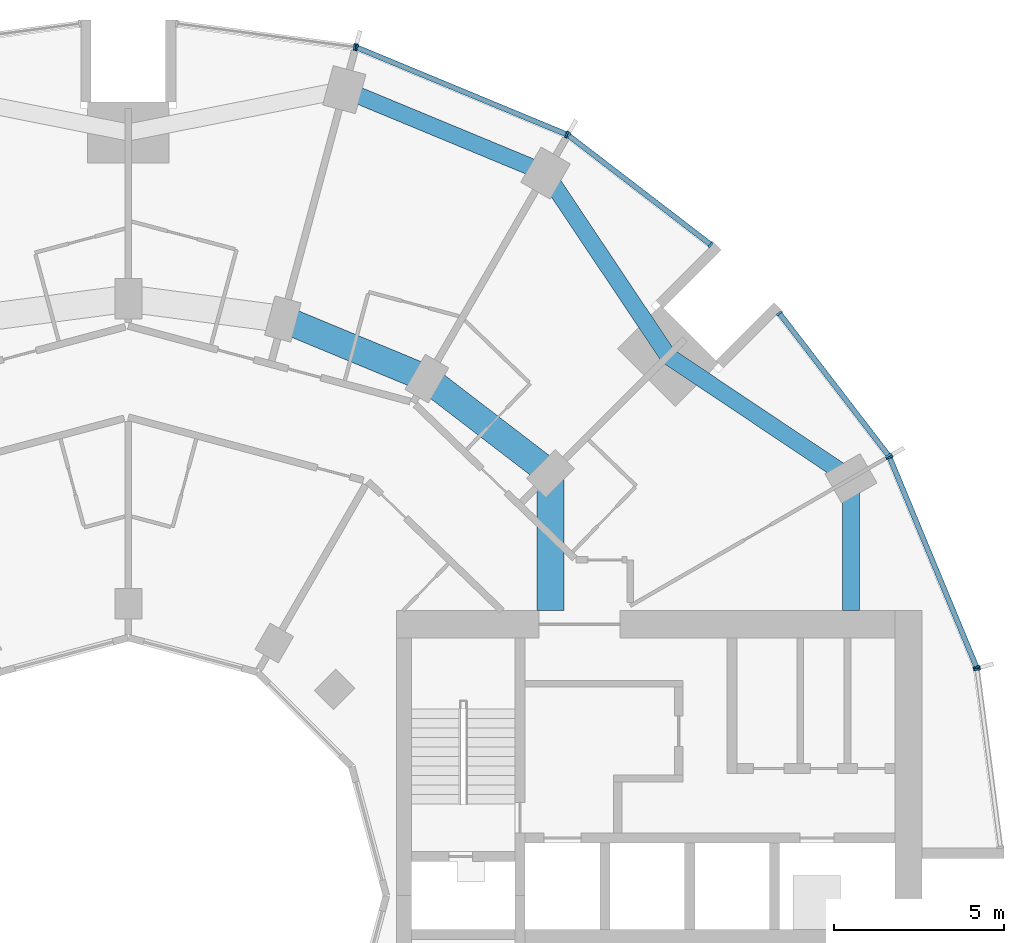
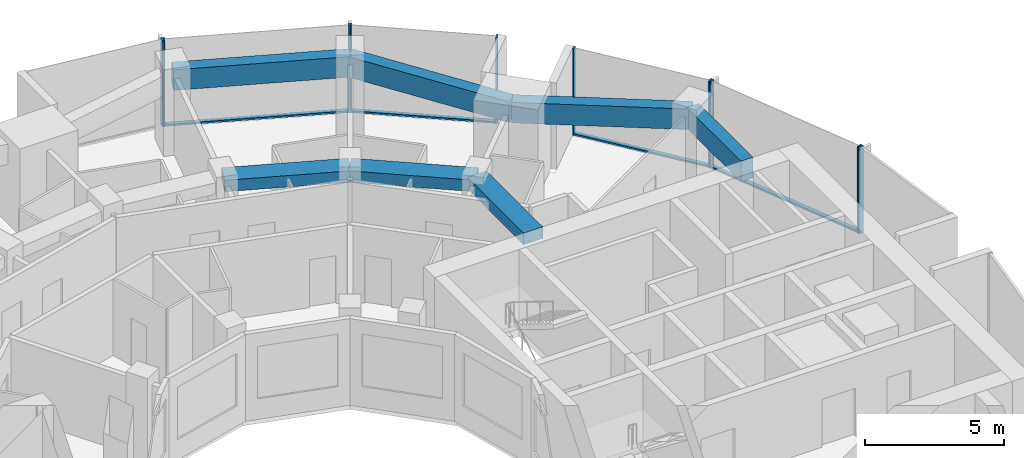
# One storey, part 6 of 15: 14 members, 7 beams, 6 elements without a shape of their own.
"""IFC4 building model written with IfcOpenShell, lengths in metres."""

import ifcopenshell
import ifcopenshell.guid

model = None  # the IFC model being written
_history = None  # IfcOwnerHistory: only IFC2X3 demands one
_inside = {}  # id of a spatial element -> (the spatial element, [elements in it])
_under = {}  # id of a project, library or spatial element -> (it, [spatial elements below it])
_declared = {}  # id of a project -> (the project, [libraries it declares])
_typed = {}  # id of a type object -> (the type object, [elements of that type])
_made_of = {}  # id of a material, layer set ... -> (it, [elements and type objects made of it])


def new_model(schema):
    """Start an empty IFC model of exactly this schema.

    Asked for "IFC4X3", IfcOpenShell would pick the latest addendum, in which some entities
    have other attributes; the version numbers below select the first issue.
    IFC2X3 requires an IfcOwnerHistory on every rooted entity: one is made here for all.
    """
    global model, _history
    if schema == "IFC4X3":
        model = ifcopenshell.file(schema_version=(4, 3, 0, 0))
    else:
        model = ifcopenshell.file(schema=schema)
    _inside.clear()
    _under.clear()
    _declared.clear()
    _typed.clear()
    _made_of.clear()
    _history = None
    if model.schema == "IFC2X3":
        org = make("IfcOrganization", Name="unknown")
        user = make(
            "IfcPersonAndOrganization",
            ThePerson=make("IfcPerson", FamilyName="unknown"),
            TheOrganization=org,
        )
        app = make(
            "IfcApplication",
            ApplicationDeveloper=org,
            Version="unknown",
            ApplicationFullName="unknown",
            ApplicationIdentifier="unknown",
        )
        _history = make(
            "IfcOwnerHistory",
            OwningUser=user,
            OwningApplication=app,
            ChangeAction="ADDED",
            CreationDate=0,
        )
    return model


def make(cls, **values):
    """One entity of the class cls with the attributes given. An attribute that is None is left unset."""
    return model.create_entity(
        cls, **{name: value for name, value in values.items() if value is not None}
    )


def rooted(cls, **values):
    """An entity with a GlobalId (a new one), such as an element, a storey or a relation."""
    return make(cls, GlobalId=ifcopenshell.guid.new(), OwnerHistory=_history, **values)


def si_unit(unit_type, name, prefix=None):
    """IfcSIUnit, for example si_unit("LENGTHUNIT", "METRE", prefix="MILLI")."""
    return make("IfcSIUnit", UnitType=unit_type, Prefix=prefix, Name=name)


def assignment(units):
    """IfcUnitAssignment: the units of a project."""
    return None if units is None else make("IfcUnitAssignment", Units=units)


def point(xyz):
    """IfcCartesianPoint."""
    return None if xyz is None else make("IfcCartesianPoint", Coordinates=xyz)


def direction(xyz):
    """IfcDirection."""
    return None if xyz is None else make("IfcDirection", DirectionRatios=xyz)


def frame(location, z_axis=None, x_axis=None):
    """IfcAxis2Placement3D, a coordinate frame: its origin and axes. An axis left out is left unset."""
    return make(
        "IfcAxis2Placement3D",
        Location=point(location),
        Axis=direction(z_axis),
        RefDirection=direction(x_axis),
    )


def frame_2d(location, x_axis=None):
    """IfcAxis2Placement2D, a coordinate frame in the plane: its origin and x axis."""
    return make(
        "IfcAxis2Placement2D", Location=point(location), RefDirection=direction(x_axis)
    )


def origin():
    """The frame at (0, 0, 0) with its axes left unset."""
    return frame((0.0, 0.0, 0.0))


def origin_2d():
    """The frame at (0, 0) in the plane with its x axis left unset."""
    return frame_2d((0.0, 0.0))


def place(relative_to, where):
    """IfcLocalPlacement: puts the frame where relative to a parent placement (None: the world)."""
    return make(
        "IfcLocalPlacement", PlacementRelTo=relative_to, RelativePlacement=where
    )


def context(
    kind, dimensions, precision=None, world=None, true_north=None, identifier=None
):
    """IfcGeometricRepresentationContext, for example the 3D "Model" context."""
    return make(
        "IfcGeometricRepresentationContext",
        ContextIdentifier=identifier,
        ContextType=kind,
        CoordinateSpaceDimension=dimensions,
        Precision=precision,
        WorldCoordinateSystem=world,
        TrueNorth=true_north,
    )


def subcontext(parent, identifier, kind, view, scale=None):
    """IfcGeometricRepresentationSubContext, for example "Body" below "Model"."""
    return make(
        "IfcGeometricRepresentationSubContext",
        ContextIdentifier=identifier,
        ContextType=kind,
        ParentContext=parent,
        TargetScale=scale,
        TargetView=view,
    )


def project(units=None, contexts=None):
    """IfcProject with its units and contexts."""
    return rooted(
        "IfcProject",
        Name="project",
        RepresentationContexts=contexts,
        UnitsInContext=assignment(units),
    )


def spatial(cls, under=None, at=None, **own):
    """A site, building, storey or space (cls), placed at a placement, below another one or the project."""
    s = rooted(cls, ObjectPlacement=at, **own)
    if under is not None:
        _under.setdefault(under.id(), (under, []))[1].append(s)
    return s


def profile(cls, at=None, kind="AREA", **sizes):
    """A parametric profile (cls). Its sizes go by their IFC names, for example OverallWidth=200.0."""
    return make(cls, ProfileType=kind, Position=at, **sizes)


def rectangle(**sizes):
    """IfcRectangleProfileDef."""
    return profile("IfcRectangleProfileDef", **sizes)


def extrude(swept, where, along, depth):
    """IfcExtrudedAreaSolid: the profile swept, set in the frame where, extruded along a direction by depth."""
    return make(
        "IfcExtrudedAreaSolid",
        SweptArea=swept,
        Position=where,
        ExtrudedDirection=direction(along),
        Depth=depth,
    )


def shape(context_of_items, identifier, shape_type, items):
    """IfcShapeRepresentation: the items that make up one representation, for example the "Body"."""
    return make(
        "IfcShapeRepresentation",
        ContextOfItems=context_of_items,
        RepresentationIdentifier=identifier,
        RepresentationType=shape_type,
        Items=items,
    )


def material(Name=None, Category=None):
    """IfcMaterial."""
    return make("IfcMaterial", Name=Name, Category=Category)


def layer(
    of_material, thickness, ventilated=None, Name=None, Category=None, Priority=None
):
    """IfcMaterialLayer: one layer of a wall or slab, of a material (None: an air gap)."""
    return make(
        "IfcMaterialLayer",
        Material=of_material,
        LayerThickness=thickness,
        IsVentilated=ventilated,
        Name=Name,
        Category=Category,
        Priority=Priority,
    )


def layer_set(layers, Name=None):
    """IfcMaterialLayerSet."""
    return make("IfcMaterialLayerSet", MaterialLayers=layers, LayerSetName=Name)


def material_profile(
    of_material, cross_section, Name=None, Category=None, Priority=None
):
    """IfcMaterialProfile: a cross section and its material."""
    return make(
        "IfcMaterialProfile",
        Name=Name,
        Material=of_material,
        Profile=cross_section,
        Priority=Priority,
        Category=Category,
    )


def profile_set(profiles, Name=None, composite=None):
    """IfcMaterialProfileSet."""
    return make(
        "IfcMaterialProfileSet",
        Name=Name,
        MaterialProfiles=profiles,
        CompositeProfile=composite,
    )


def made_of(thing, what):
    """Note that an element or type object is made of a material, layer set ...; save() writes the relation."""
    if what is not None:
        _made_of.setdefault(what.id(), (what, []))[1].append(thing)
    return thing


def type_object(cls, material=None, **own):
    """A type object (cls), such as IfcWallType, which elements share."""
    return made_of(rooted(cls, **own), material)


def element(
    cls,
    number,
    at=None,
    inside=None,
    cuts=None,
    type_object=None,
    material=None,
    context=None,
    identifier="Body",
    shape_type=None,
    held_by="IfcProductDefinitionShape",
    body=None,
    shapes=None,
    **own,
):
    """One element of the class cls, such as IfcWall. Its Tag is "e" and its number.

    at: its placement. inside: the storey or other place that contains it. cuts: it is an
    opening in that element (IfcRelVoidsElement). A single representation is given by context,
    identifier, shape_type and body (its items); several are given by shapes. held_by: the class
    of the entity that holds the representations. save() writes the other relations.
    """
    e = rooted(cls, Tag="e%d" % number, ObjectPlacement=at, **own)
    if body is not None:
        shapes = [shape(context, identifier, shape_type, body)]
    if shapes is not None:
        e.Representation = make(held_by, Representations=shapes)
    if inside is not None:
        _inside.setdefault(inside.id(), (inside, []))[1].append(e)
    if cuts is not None:
        rooted(
            "IfcRelVoidsElement", RelatingBuildingElement=cuts, RelatedOpeningElement=e
        )
    if type_object is not None:
        _typed.setdefault(type_object.id(), (type_object, []))[1].append(e)
    return made_of(e, material)


def aggregate(whole, parts):
    """IfcRelAggregates: a whole, such as a stair, and the parts it consists of."""
    return rooted("IfcRelAggregates", RelatingObject=whole, RelatedObjects=parts)


def save(model, path):
    """Write the relations noted so far, then the file.

    IfcRelAggregates (storeys below a building ...), IfcRelContainedInSpatialStructure (elements
    in a storey), IfcRelDefinesByType, IfcRelAssociatesMaterial and IfcRelDeclares: one each for
    every whole, place, type object, material and project.
    """
    for whole, parts in _under.values():
        aggregate(whole, parts)
    for where, things in _inside.values():
        rooted(
            "IfcRelContainedInSpatialStructure",
            RelatedElements=things,
            RelatingStructure=where,
        )
    for kind, things in _typed.values():
        rooted("IfcRelDefinesByType", RelatedObjects=things, RelatingType=kind)
    for what, things in _made_of.values():
        rooted("IfcRelAssociatesMaterial", RelatedObjects=things, RelatingMaterial=what)
    for by, libraries in _declared.values():
        rooted("IfcRelDeclares", RelatingContext=by, RelatedDefinitions=libraries)
    model.write(path)


model = new_model("IFC4")

# Units and contexts
model_context = context("Model", 3, precision=1e-05, world=origin(), true_north=direction((0.0, 1.0)))
body_context = subcontext(model_context, "Body", "Model", "MODEL_VIEW")
ifc_project = project(units=[si_unit("LENGTHUNIT", "METRE"), si_unit("AREAUNIT", "SQUARE_METRE"), si_unit("VOLUMEUNIT", "CUBIC_METRE"), si_unit("PLANEANGLEUNIT", "RADIAN"), si_unit("MASSUNIT", "GRAM", prefix="KILO")], contexts=[model_context])

# Site, building, storey
site_placement = place(None, origin())
site = spatial("IfcSite", under=ifc_project, at=site_placement, CompositionType="ELEMENT")
building_placement = place(site_placement, origin())
building = spatial("IfcBuilding", under=site, at=building_placement, Name="Torre Brocal", CompositionType="ELEMENT")
storey_placement = place(building_placement, frame((0.0, 0.0, 32.60009765625)))
storey = spatial("IfcBuildingStorey", under=building, at=storey_placement, Name="L06", CompositionType="ELEMENT", Elevation=32.60009765625)

# Curtain wall, members
ifc_material_1 = material(Name="Aluminium and glass", Category="aluminium")
ifc_layer_1 = layer(ifc_material_1, 0.199951171875)
ifc_layer_set_1 = layer_set([ifc_layer_1], Name="Aluminium and glass")
curtain_wall_type_1 = type_object("IfcCurtainWallType", Name="CW-1 CURTAIN WALL 3800 HIGH", PredefinedType="NOTDEFINED", material=ifc_layer_set_1)
curtain_wall_1_placement = place(storey_placement, origin())
curtain_wall_1 = element("IfcCurtainWall", 1, at=curtain_wall_1_placement, inside=storey, type_object=curtain_wall_type_1, Name="CW-1 RUN 2", PredefinedType="NOTDEFINED")
ifc_material_2 = material(Name="Aluminium, dark anodised", Category="aluminium")
ifc_material_profile_1 = material_profile(ifc_material_2, rectangle(XDim=0.199951171875, YDim=0.06005859375, at=origin_2d()), Name="CW-1 MULLION 60X200")
ifc_profile_set_1 = profile_set([ifc_material_profile_1], Name="Aluminium, dark anodised")
member_type_1 = type_object("IfcMemberType", Name="CW-1 MULLION 60X200", PredefinedType="MULLION", material=ifc_profile_set_1)
member_1_placement = place(storey_placement, frame((105.005126953125, 81.73095703125, 0.0), z_axis=(0.0, 0.0, 1.0), x_axis=(-0.923879532525, -0.382683432333, 0.0)))
member_1 = element("IfcMember", 2, at=member_1_placement, type_object=member_type_1, Name="CW1-1 mullion 1", PredefinedType="MULLION", context=body_context, shape_type="SweptSolid", body=[
    extrude(rectangle(XDim=0.199951171875, YDim=0.06005859375, at=origin_2d()), origin(), (0.0, 0.0, 1.0), 3.7998046875),
])
member_2_placement = place(storey_placement, frame((102.440673828125, 87.921875, 0.0), z_axis=(0.0, 0.0, 1.0), x_axis=(-0.923879532525, -0.382683432333, 0.0)))
member_2 = element("IfcMember", 3, at=member_2_placement, type_object=member_type_1, Name="CW1-1 mullion 2", PredefinedType="MULLION", context=body_context, shape_type="SweptSolid", body=[
    extrude(rectangle(XDim=0.199951171875, YDim=0.06005859375, at=origin_2d()), origin(), (0.0, 0.0, 1.0), 3.7998046875),
])

curtain_wall_2_placement = place(storey_placement, origin())
curtain_wall_2 = element("IfcCurtainWall", 4, at=curtain_wall_2_placement, inside=storey, type_object=curtain_wall_type_1, Name="CW-1 RUN 3", PredefinedType="NOTDEFINED")
member_3_placement = place(storey_placement, frame((102.4111328125, 87.973388671875, 0.0), z_axis=(0.0, 0.0, 1.0), x_axis=(-0.793353340259, -0.60876142905, 0.0)))
member_3 = element("IfcMember", 5, at=member_3_placement, type_object=member_type_1, Name="CW1-1 mullion 1", PredefinedType="MULLION", context=body_context, shape_type="SweptSolid", body=[
    extrude(rectangle(XDim=0.199951171875, YDim=0.06005859375, at=origin_2d()), origin(), (0.0, 0.0, 1.0), 3.7998046875),
])
member_4_placement = place(storey_placement, frame((99.19140625, 92.16943359375, 0.0), z_axis=(0.0, 0.0, 1.0), x_axis=(-0.793353340259, -0.60876142905, 0.0)))
member_4 = element("IfcMember", 6, at=member_4_placement, type_object=member_type_1, Name="CW1-1 mullion 2", PredefinedType="MULLION", context=body_context, shape_type="SweptSolid", body=[
    extrude(rectangle(XDim=0.199951171875, YDim=0.06005859375, at=origin_2d()), origin(), (0.0, 0.0, 1.0), 3.7998046875),
])

curtain_wall_3_placement = place(storey_placement, origin())
curtain_wall_3 = element("IfcCurtainWall", 7, at=curtain_wall_3_placement, inside=storey, type_object=curtain_wall_type_1, Name="CW-1 RUN 4", PredefinedType="NOTDEFINED")
member_5_placement = place(storey_placement, frame((97.16943359375, 94.19140625, 0.0), z_axis=(0.0, 0.0, 1.0), x_axis=(-0.60876142905, -0.793353340259, 0.0)))
member_5 = element("IfcMember", 8, at=member_5_placement, type_object=member_type_1, Name="CW1-1 mullion 1", PredefinedType="MULLION", context=body_context, shape_type="SweptSolid", body=[
    extrude(rectangle(XDim=0.199951171875, YDim=0.06005859375, at=origin_2d()), origin(), (0.0, 0.0, 1.0), 3.7998046875),
])
member_6_placement = place(storey_placement, frame((92.973388671875, 97.4111328125, 0.0), z_axis=(0.0, 0.0, 1.0), x_axis=(-0.60876142905, -0.793353340259, 0.0)))
member_6 = element("IfcMember", 9, at=member_6_placement, type_object=member_type_1, Name="CW1-1 mullion 2", PredefinedType="MULLION", context=body_context, shape_type="SweptSolid", body=[
    extrude(rectangle(XDim=0.199951171875, YDim=0.06005859375, at=origin_2d()), origin(), (0.0, 0.0, 1.0), 3.7998046875),
])

curtain_wall_4_placement = place(storey_placement, origin())
curtain_wall_4 = element("IfcCurtainWall", 10, at=curtain_wall_4_placement, inside=storey, type_object=curtain_wall_type_1, Name="CW-1 RUN 5", PredefinedType="NOTDEFINED")
member_7_placement = place(storey_placement, frame((92.921875, 97.440673828125, 0.0), z_axis=(0.0, 0.0, 1.0), x_axis=(-0.382683432333, -0.923879532525, 0.0)))
member_7 = element("IfcMember", 11, at=member_7_placement, type_object=member_type_1, Name="CW1-1 mullion 1", PredefinedType="MULLION", context=body_context, shape_type="SweptSolid", body=[
    extrude(rectangle(XDim=0.199951171875, YDim=0.06005859375, at=origin_2d()), origin(), (0.0, 0.0, 1.0), 3.7998046875),
])
member_8_placement = place(storey_placement, frame((86.73095703125, 100.005126953125, 0.0), z_axis=(0.0, 0.0, 1.0), x_axis=(-0.382683432333, -0.923879532525, 0.0)))
member_8 = element("IfcMember", 12, at=member_8_placement, type_object=member_type_1, Name="CW1-1 mullion 2", PredefinedType="MULLION", context=body_context, shape_type="SweptSolid", body=[
    extrude(rectangle(XDim=0.199951171875, YDim=0.06005859375, at=origin_2d()), origin(), (0.0, 0.0, 1.0), 3.7998046875),
])

# Curtain wall, member
curtain_wall_5_placement = place(storey_placement, origin())
curtain_wall_5 = element("IfcCurtainWall", 13, at=curtain_wall_5_placement, inside=storey, type_object=curtain_wall_type_1, Name="CW-1 RUN 6", PredefinedType="NOTDEFINED")
member_9_placement = place(storey_placement, frame((86.67333984375, 100.0205078125, 0.0), z_axis=(0.0, 0.0, 1.0), x_axis=(-0.13052619222, -0.991444861374, 0.0)))
member_9 = element("IfcMember", 14, at=member_9_placement, type_object=member_type_1, Name="CW1-1 mullion 1", PredefinedType="MULLION", context=body_context, shape_type="SweptSolid", body=[
    extrude(rectangle(XDim=0.199951171875, YDim=0.06005859375, at=origin_2d()), origin(), (0.0, 0.0, 1.0), 3.7998046875),
])
aggregate(curtain_wall_5, [member_9])

# Member
ifc_material_3 = material(Name="Aluminium, dark anodised", Category="aluminium")
ifc_material_profile_2 = material_profile(ifc_material_3, rectangle(XDim=0.159912109375, YDim=0.080078125, at=origin_2d()), Name="CW-1 TRANSOM 160X80")
ifc_profile_set_2 = profile_set([ifc_material_profile_2], Name="Aluminium, dark anodised")
member_type_2 = type_object("IfcMemberType", Name="CW-1 TRANSOM 160X80", PredefinedType="USERDEFINED", material=ifc_profile_set_2)
member_10_placement = place(storey_placement, frame((104.99365234375, 81.758544921875, 0.039794921875), z_axis=(-0.38266457234, 0.923887344364, 0.0), x_axis=(-0.923887344364, -0.38266457234, 0.0)))
member_10 = element("IfcMember", 15, at=member_10_placement, type_object=member_type_2, Name="CW1-1 transom 1.1", ObjectType="TRANSOM", PredefinedType="USERDEFINED", context=body_context, shape_type="SweptSolid", body=[
    extrude(rectangle(XDim=0.159912109375, YDim=0.080078125, at=origin_2d()), origin(), (0.0, 0.0, 1.0), 6.640869140625),
])

aggregate(curtain_wall_1, [member_1, member_2, member_10])

member_11_placement = place(storey_placement, frame((102.392822265625, 87.9970703125, 0.039794921875), z_axis=(-0.60874908096, 0.79336281513, 0.0), x_axis=(-0.79336281513, -0.60874908096, 0.0)))
member_11 = element("IfcMember", 16, at=member_11_placement, type_object=member_type_2, Name="CW1-1 transom 1.1", ObjectType="TRANSOM", PredefinedType="USERDEFINED", context=body_context, shape_type="SweptSolid", body=[
    extrude(rectangle(XDim=0.159912109375, YDim=0.080078125, at=origin_2d()), origin(), (0.0, 0.0, 1.0), 5.22900390625),
])

aggregate(curtain_wall_2, [member_3, member_4, member_11])

member_12_placement = place(storey_placement, frame((97.1455078125, 94.209716796875, 0.039794921875), z_axis=(-0.79336281513, 0.60874908096, 0.0), x_axis=(-0.60874908096, -0.79336281513, 0.0)))
member_12 = element("IfcMember", 17, at=member_12_placement, type_object=member_type_2, Name="CW1-1 transom 1.1", ObjectType="TRANSOM", PredefinedType="USERDEFINED", context=body_context, shape_type="SweptSolid", body=[
    extrude(rectangle(XDim=0.159912109375, YDim=0.080078125, at=origin_2d()), origin(), (0.0, 0.0, 1.0), 5.22900390625),
])

aggregate(curtain_wall_3, [member_5, member_6, member_12])

member_13_placement = place(storey_placement, frame((92.89404296875, 97.452392578125, 0.039794921875), z_axis=(-0.923887344364, 0.38266457234, 0.0), x_axis=(-0.38266457234, -0.923887344364, 0.0)))
member_13 = element("IfcMember", 18, at=member_13_placement, type_object=member_type_2, Name="CW1-1 transom 1.1", ObjectType="TRANSOM", PredefinedType="USERDEFINED", context=body_context, shape_type="SweptSolid", body=[
    extrude(rectangle(XDim=0.159912109375, YDim=0.080078125, at=origin_2d()), origin(), (0.0, 0.0, 1.0), 6.640869140625),
])

aggregate(curtain_wall_4, [member_7, member_8, member_13])

# Curtain wall, member
ifc_material_4 = material(Name="Aluminium and glass", Category="aluminium")
ifc_layer_2 = layer(ifc_material_4, 0.199951171875)
ifc_layer_set_2 = layer_set([ifc_layer_2], Name="Aluminium and glass")
curtain_wall_type_2 = type_object("IfcCurtainWallType", Name="CW-1B CURTAIN WALL 3800 HIGH", PredefinedType="NOTDEFINED", material=ifc_layer_set_2)
curtain_wall_6_placement = place(storey_placement, origin())
curtain_wall_6 = element("IfcCurtainWall", 19, at=curtain_wall_6_placement, inside=storey, type_object=curtain_wall_type_2, Name="CW-1B RUN 1", PredefinedType="NOTDEFINED")
ifc_material_5 = material(Name="Aluminium, dark anodised", Category="aluminium")
ifc_material_profile_3 = material_profile(ifc_material_5, rectangle(XDim=0.199951171875, YDim=0.06005859375, at=origin_2d()), Name="CW-1B MULLION 60X200")
ifc_profile_set_3 = profile_set([ifc_material_profile_3], Name="Aluminium, dark anodised")
member_type_3 = type_object("IfcMemberType", Name="CW-1B MULLION 60X200", PredefinedType="MULLION", material=ifc_profile_set_3)
member_14_placement = place(storey_placement, frame((105.0205078125, 81.67333984375, 0.0), z_axis=(0.0, 0.0, 1.0), x_axis=(-0.991444861374, -0.13052619222, 0.0)))
member_14 = element("IfcMember", 20, at=member_14_placement, type_object=member_type_3, Name="CW1B-1 mullion 2", PredefinedType="MULLION", context=body_context, shape_type="SweptSolid", body=[
    extrude(rectangle(XDim=0.199951171875, YDim=0.06005859375, at=origin_2d()), origin(), (0.0, 0.0, 1.0), 3.7998046875),
])
aggregate(curtain_wall_6, [member_14])

# Beams
ifc_material_6 = material(Name="Concrete C50", Category="concrete")
ifc_material_profile_4 = material_profile(ifc_material_6, rectangle(XDim=0.800048828125, YDim=0.5, at=origin_2d()), Name="RC 800X500")
ifc_profile_set_4 = profile_set([ifc_material_profile_4], Name="Concrete C50")
beam_type_1 = type_object("IfcBeamType", Name="RC BEAM 800X500 C50 TOP 3480", PredefinedType="BEAM", material=ifc_profile_set_4)
beam_1_placement = place(storey_placement, frame((92.445068359375, 87.445068359375, 3.22998046875), z_axis=(-0.793358265959, 0.6087550097, 0.0), x_axis=(-0.6087550097, -0.793358265959, 0.0)))
element("IfcBeam", 21, at=beam_1_placement, inside=storey, type_object=beam_type_1, Name="Beam BT-19", PredefinedType="BEAM", context=body_context, shape_type="SweptSolid", body=[
    extrude(rectangle(XDim=0.800048828125, YDim=0.5, at=origin_2d()), origin(), (0.0, 0.0, 1.0), 4.594482421875),
])
beam_2_placement = place(storey_placement, frame((88.800048828125, 90.241943359375, 3.22998046875), z_axis=(-0.923878240166, 0.382686552348, 0.0), x_axis=(-0.382686552348, -0.923878240166, 0.0)))
element("IfcBeam", 22, at=beam_2_placement, inside=storey, type_object=beam_type_1, Name="Beam BT-19", PredefinedType="BEAM", context=body_context, shape_type="SweptSolid", body=[
    extrude(rectangle(XDim=0.800048828125, YDim=0.5, at=origin_2d()), origin(), (0.0, 0.0, 1.0), 4.5947265625),
])
beam_3_placement = place(storey_placement, frame((92.445068359375, 87.445068359375, 3.22998046875), z_axis=(0.0, -1.0, 0.0), x_axis=(1.0, 0.0, 0.0)))
element("IfcBeam", 23, at=beam_3_placement, inside=storey, type_object=beam_type_1, Name="Beam BT-19", PredefinedType="BEAM", context=body_context, shape_type="SweptSolid", body=[
    extrude(rectangle(XDim=0.800048828125, YDim=0.5, at=origin_2d()), origin(), (0.0, 0.0, 1.0), 4.045166015625),
])
ifc_material_7 = material(Name="Concrete C50", Category="concrete")
ifc_material_profile_5 = material_profile(ifc_material_7, rectangle(XDim=0.5, YDim=0.89990234375, at=origin_2d()), Name="RC 500X900")
ifc_profile_set_5 = profile_set([ifc_material_profile_5], Name="Concrete C50")
beam_type_2 = type_object("IfcBeamType", Name="RC SPANDREL BEAM 500X900 C50 TOP 3480", PredefinedType="SPANDREL", material=ifc_profile_set_5)
for number, where, z_axis, x_axis, name in (
    (24, (101.30419921875, 87.300048828125, 3.02978515625), (-0.831076844476, 0.556157602282, 0.0), (-0.556157602282, -0.831076844476, 0.0), "Beam BT-20"),
    (25, (95.909912109375, 90.909912109375, 3.02978515625), (-0.556157602282, 0.831076844476, 0.0), (-0.831076844476, -0.556157602282, 0.0), "Beam BT-20"),
):
    element("IfcBeam", number, at=place(storey_placement, frame(where, z_axis=z_axis, x_axis=x_axis)), inside=storey, type_object=beam_type_2, Name=name, PredefinedType="SPANDREL", context=body_context, shape_type="SweptSolid", body=[
        extrude(rectangle(XDim=0.5, YDim=0.89990234375, at=origin_2d()), origin(), (0.0, 0.0, 1.0), 6.49072265625),
    ])
beam_4_placement = place(storey_placement, frame((92.300048828125, 96.30419921875, 3.02978515625), z_axis=(-0.923882462513, 0.382676358639, 0.0), x_axis=(-0.382676358639, -0.923882462513, 0.0)))
element("IfcBeam", 26, at=beam_4_placement, inside=storey, type_object=beam_type_2, Name="Beam BT-20", PredefinedType="SPANDREL", context=body_context, shape_type="SweptSolid", body=[
    extrude(rectangle(XDim=0.5, YDim=0.89990234375, at=origin_2d()), origin(), (0.0, 0.0, 1.0), 6.421875),
])
beam_5_placement = place(storey_placement, frame((101.30419921875, 87.300048828125, 3.02978515625), z_axis=(0.0, -1.0, 0.0), x_axis=(1.0, 0.0, 0.0)))
element("IfcBeam", 27, at=beam_5_placement, inside=storey, type_object=beam_type_2, Name="Beam BT-20", PredefinedType="SPANDREL", context=body_context, shape_type="SweptSolid", body=[
    extrude(rectangle(XDim=0.5, YDim=0.89990234375, at=origin_2d()), origin(), (0.0, 0.0, 1.0), 3.900146484375),
])

save(model, "model.ifc")
